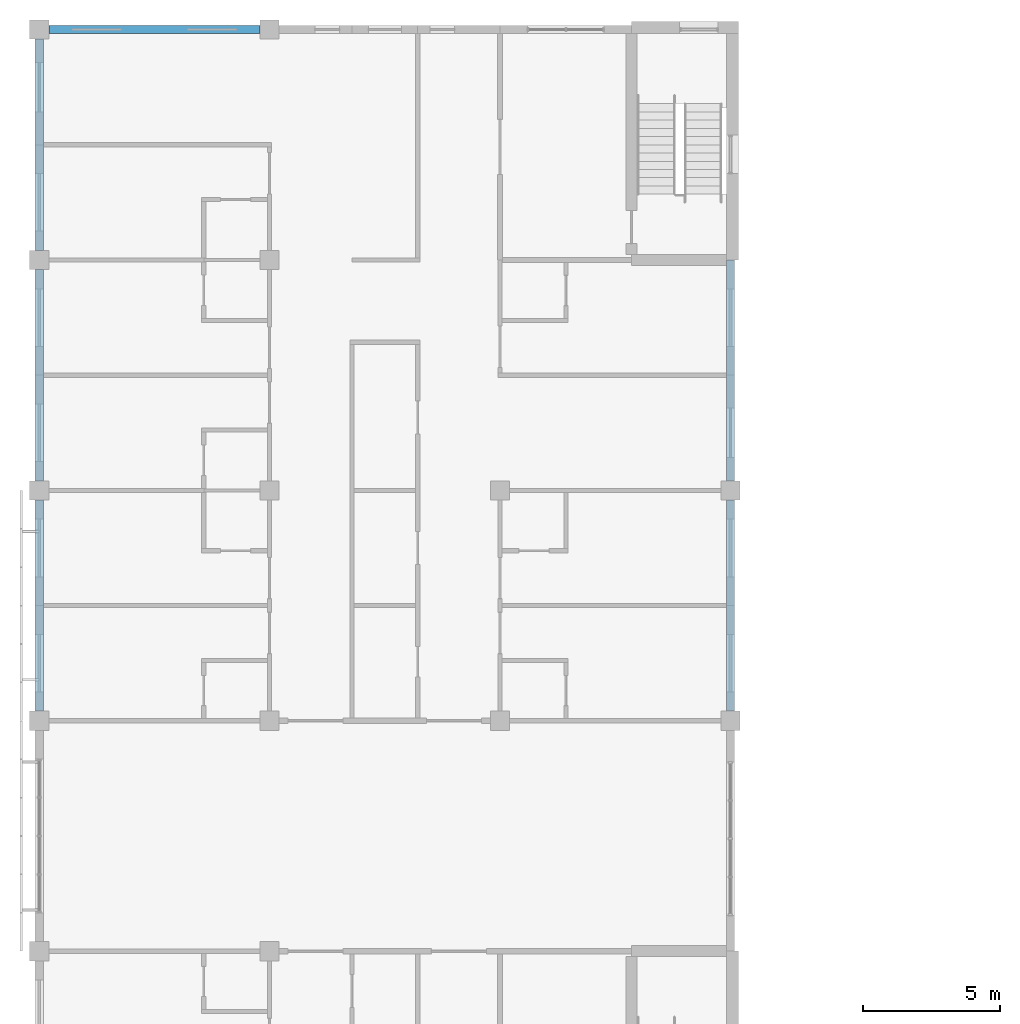
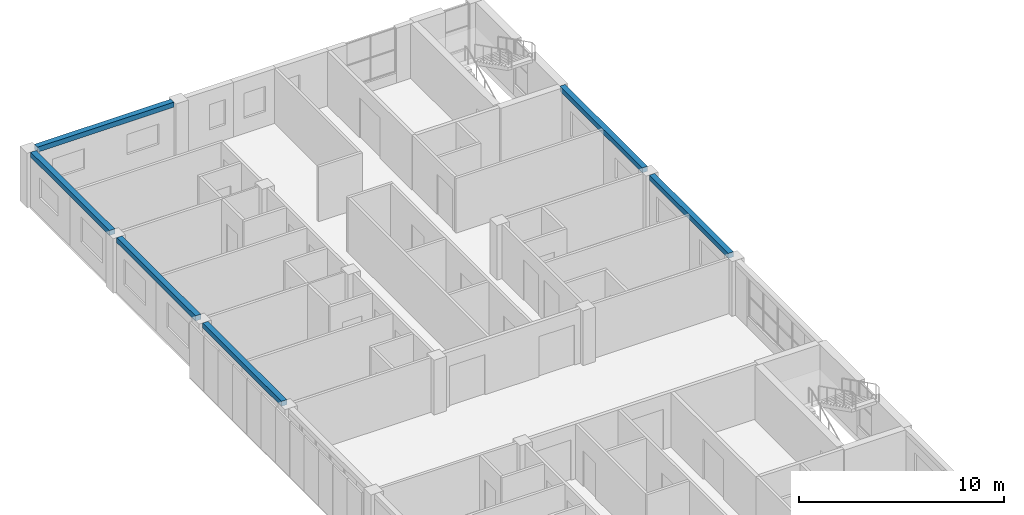
# One storey, part 13 of 45: 6 beams.
"""IFC4 building model written with IfcOpenShell, lengths in metres."""

from ifc_helpers import new_model, si_unit, direction, frame, origin, origin_2d, place, context, subcontext, project, spatial, rectangle, extrude, material, material_profile, profile_set, type_object, element, save


model = new_model("IFC4")

# Units and contexts
model_context = context("Model", 3, precision=1e-05, world=origin(), true_north=direction((0.0, 1.0)))
body_context = subcontext(model_context, "Body", "Model", "MODEL_VIEW")
ifc_project = project(units=[si_unit("LENGTHUNIT", "METRE"), si_unit("AREAUNIT", "SQUARE_METRE"), si_unit("VOLUMEUNIT", "CUBIC_METRE"), si_unit("PLANEANGLEUNIT", "RADIAN"), si_unit("MASSUNIT", "GRAM", prefix="KILO")], contexts=[model_context])

# Site, building, storey
site_placement = place(None, origin())
site = spatial("IfcSite", under=ifc_project, at=site_placement, CompositionType="ELEMENT")
building_placement = place(site_placement, origin())
building = spatial("IfcBuilding", under=site, at=building_placement, Name="Yavir Park General Hospital", CompositionType="ELEMENT")
storey_placement = place(building_placement, frame((0.0, 0.0, 22.5)))
storey = spatial("IfcBuildingStorey", under=building, at=storey_placement, Name="L05", CompositionType="ELEMENT", Elevation=22.5)

# Beams
ifc_material = material(Name="Concrete C35/45", Category="concrete")
ifc_material_profile = material_profile(ifc_material, rectangle(XDim=0.300048828125, YDim=0.300048828125, at=origin_2d()), Name="RC300x300")
ifc_profile_set = profile_set([ifc_material_profile], Name="Concrete C35/45")
beam_type = type_object("IfcBeamType", Name="RC BEAM 300x300 edge beam", PredefinedType="BEAM", material=ifc_profile_set)
for number, where, z_axis, x_axis, name in (
    (1, (0.35009765625, 117.60009765625, 3.110107421875), (1.0, 0.0, 0.0), (0.0, 1.0, 0.0), "B:EDGE:L05:015"),
    (2, (0.0, 92.75, 3.110107421875), (0.0, 1.0, 0.0), (-1.0, 0.0, 0.0), "B:EDGE:L05:025"),
):
    element("IfcBeam", number, at=place(storey_placement, frame(where, z_axis=z_axis, x_axis=x_axis)), inside=storey, type_object=beam_type, Name=name, PredefinedType="BEAM", context=body_context, shape_type="SweptSolid", body=[
        extrude(rectangle(XDim=0.300048828125, YDim=0.300048828125, at=origin_2d()), origin(), (0.0, 0.0, 1.0), 7.699951171875),
    ])
beam_1_placement = place(storey_placement, frame((0.0, 101.14990234375, 3.110107421875), z_axis=(0.0, 1.0, 0.0), x_axis=(-1.0, 0.0, 0.0)))
element("IfcBeam", 3, at=beam_1_placement, inside=storey, type_object=beam_type, Name="B:EDGE:L05:026", PredefinedType="BEAM", context=body_context, shape_type="SweptSolid", body=[
    extrude(rectangle(XDim=0.300048828125, YDim=0.300048828125, at=origin_2d()), origin(), (0.0, 0.0, 1.0), 7.7001953125),
])
for number, where, z_axis, x_axis, name in (
    (4, (0.0, 109.550048828125, 3.110107421875), (0.0, 1.0, 0.0), (-1.0, 0.0, 0.0), "B:EDGE:L05:027"),
    (5, (25.199951171875, 92.75, 3.110107421875), (0.0, 1.0, 0.0), (-1.0, 0.0, 0.0), "B:EDGE:L05:033"),
):
    element("IfcBeam", number, at=place(storey_placement, frame(where, z_axis=z_axis, x_axis=x_axis)), inside=storey, type_object=beam_type, Name=name, PredefinedType="BEAM", context=body_context, shape_type="SweptSolid", body=[
        extrude(rectangle(XDim=0.300048828125, YDim=0.300048828125, at=origin_2d()), origin(), (0.0, 0.0, 1.0), 7.699951171875),
    ])
beam_2_placement = place(storey_placement, frame((25.199951171875, 101.14990234375, 3.110107421875), z_axis=(0.0, 1.0, 0.0), x_axis=(-1.0, 0.0, 0.0)))
element("IfcBeam", 6, at=beam_2_placement, inside=storey, type_object=beam_type, Name="B:EDGE:L05:034", PredefinedType="BEAM", context=body_context, shape_type="SweptSolid", body=[
    extrude(rectangle(XDim=0.300048828125, YDim=0.300048828125, at=origin_2d()), origin(), (0.0, 0.0, 1.0), 8.050048828125),
])

save(model, "model.ifc")
